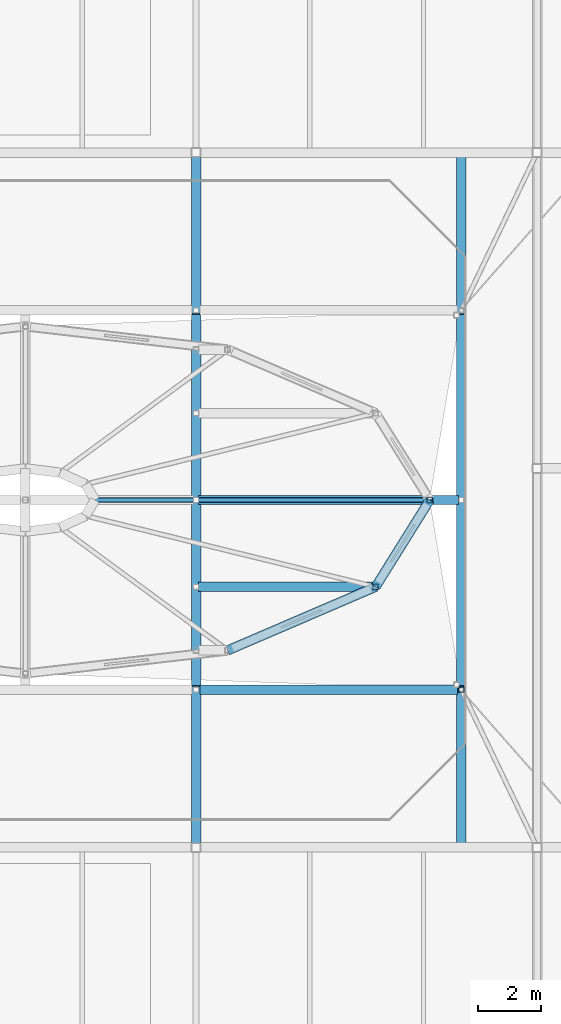
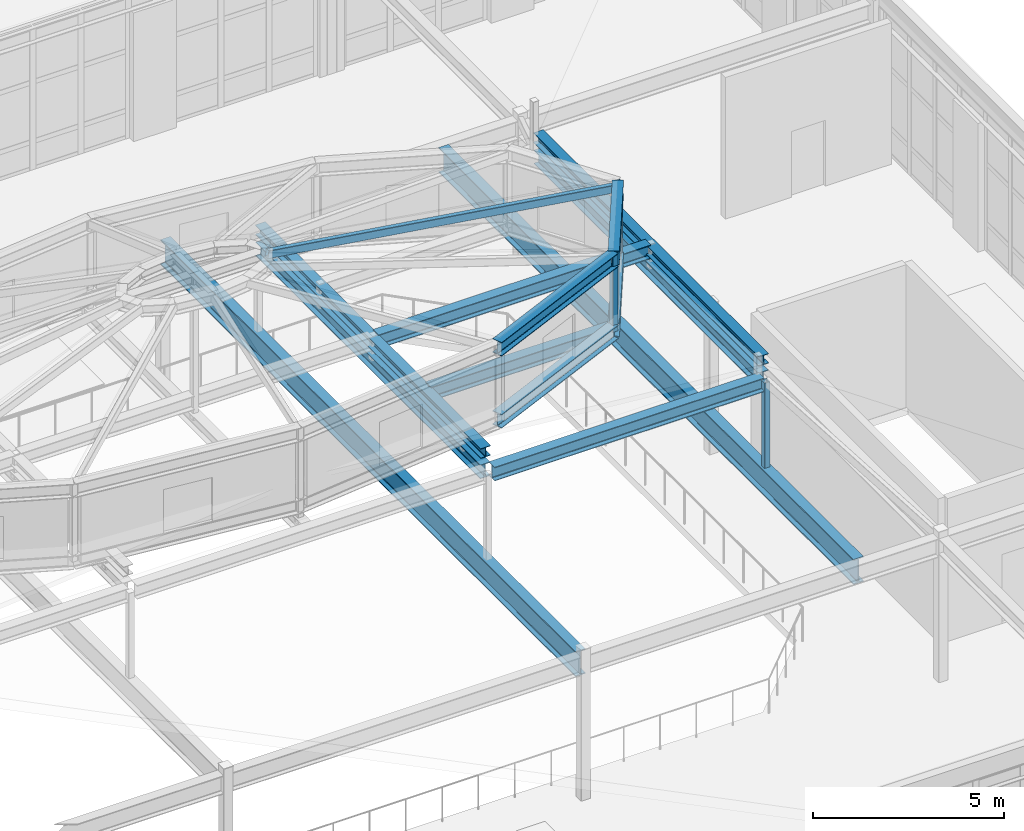
# One storey, part 30 of 86: 11 beams, 6 members.
"""IFC4 building model written with IfcOpenShell, lengths in metres."""

from ifc_helpers import new_model, si_unit, direction, frame, origin, origin_2d, place, context, subcontext, project, spatial, hollow_rectangle, i_section, extrude, material, material_profile, profile_set, type_object, element, save


model = new_model("IFC4")

# Units and contexts
model_context = context("Model", 3, precision=1e-05, world=origin(), true_north=direction((0.0, 1.0)))
body_context = subcontext(model_context, "Body", "Model", "MODEL_VIEW")
ifc_project = project(units=[si_unit("LENGTHUNIT", "METRE"), si_unit("AREAUNIT", "SQUARE_METRE"), si_unit("VOLUMEUNIT", "CUBIC_METRE"), si_unit("PLANEANGLEUNIT", "RADIAN"), si_unit("MASSUNIT", "GRAM", prefix="KILO")], contexts=[model_context])

# Site, building, storey
site_placement = place(None, origin())
site = spatial("IfcSite", under=ifc_project, at=site_placement, CompositionType="ELEMENT")
building_placement = place(site_placement, origin())
building = spatial("IfcBuilding", under=site, at=building_placement, Name="Tasgan Crest Museum", CompositionType="ELEMENT")
storey_placement = place(building_placement, frame((0.0, 0.0, 24.0)))
storey = spatial("IfcBuildingStorey", under=building, at=storey_placement, Name="L04", CompositionType="ELEMENT", Elevation=24.0)

# Beams
ifc_material_1 = material(Name="Steel S355K2", Category="steel")
ifc_material_profile_1 = material_profile(ifc_material_1, i_section(OverallWidth=0.300048828125, OverallDepth=0.43994140625, WebThickness=0.011474609375, FlangeThickness=0.02099609375, FilletRadius=0.027099609375, at=origin_2d()), Name="HEA 450")
ifc_profile_set_1 = profile_set([ifc_material_profile_1], Name="Steel S355K2")
beam_type_1 = type_object("IfcBeamType", Name="BM-DRUM-RING", PredefinedType="BEAM", material=ifc_profile_set_1)
beam_1_placement = place(storey_placement, frame((86.52490234375, 55.0, 7.320068359375), z_axis=(1.0, 0.0, 0.0), x_axis=(0.0, 1.0, 0.0)))
element("IfcBeam", 1, at=beam_1_placement, inside=storey, type_object=beam_type_1, Name="Winter-garden crown ring beam S3", PredefinedType="BEAM", context=body_context, shape_type="SweptSolid", body=[
    extrude(i_section(OverallWidth=0.300048828125, OverallDepth=0.43994140625, WebThickness=0.011474609375, FlangeThickness=0.02099609375, FilletRadius=0.027099609375, at=origin_2d()), origin(), (0.0, 0.0, 1.0), 8.150146484375),
])
for number, where, z_axis, x_axis, name in (
    (2, (94.800048828125, 55.125, 7.320068359375), (0.0, 1.0, 0.0), (-1.0, 0.0, 0.0), "Winter-garden crown ring beam E"),
    (3, (86.39990234375, 55.125, 7.320068359375), (0.0, 1.0, 0.0), (-1.0, 0.0, 0.0), "Winter-garden crown cross girder X=86.4"),
):
    element("IfcBeam", number, at=place(storey_placement, frame(where, z_axis=z_axis, x_axis=x_axis)), inside=storey, type_object=beam_type_1, Name=name, PredefinedType="BEAM", context=body_context, shape_type="SweptSolid", body=[
        extrude(i_section(OverallWidth=0.300048828125, OverallDepth=0.43994140625, WebThickness=0.011474609375, FlangeThickness=0.02099609375, FilletRadius=0.027099609375, at=origin_2d()), origin(), (0.0, 0.0, 1.0), 11.75),
    ])
beam_2_placement = place(storey_placement, frame((86.485107421875, 61.0, 7.919921875), z_axis=(1.0, 0.0, 0.0), x_axis=(0.0, 1.0, 0.0)))
element("IfcBeam", 4, at=beam_2_placement, inside=storey, type_object=beam_type_1, Name="Rotunda longitudinal spine girder 4", PredefinedType="BEAM", context=body_context, shape_type="SweptSolid", body=[
    extrude(i_section(OverallWidth=0.300048828125, OverallDepth=0.43994140625, WebThickness=0.011474609375, FlangeThickness=0.02099609375, FilletRadius=0.027099609375, at=origin_2d()), origin(), (0.0, 0.0, 1.0), 8.22998046875),
])
for number, where, z_axis, x_axis, name in (
    (5, (87.39990234375, 56.23681640625, 7.919921875), (0.918775656521, 0.394780056468, 0.0), (-0.394780056468, 0.918775656521, 0.0), "Rotunda base ring 11"),
    (6, (87.39990234375, 56.23681640625, 10.219970703125), (0.918775656521, 0.394780056468, 0.0), (-0.394780056468, 0.918775656521, 0.0), "Rotunda eave ring 11"),
):
    element("IfcBeam", number, at=place(storey_placement, frame(where, z_axis=z_axis, x_axis=x_axis)), inside=storey, type_object=beam_type_1, Name=name, PredefinedType="BEAM", context=body_context, shape_type="SweptSolid", body=[
        extrude(i_section(OverallWidth=0.300048828125, OverallDepth=0.43994140625, WebThickness=0.011474609375, FlangeThickness=0.02099609375, FilletRadius=0.027099609375, at=origin_2d()), origin(), (0.0, 0.0, 1.0), 5.099609375),
    ])
beam_3_placement = place(storey_placement, frame((86.485107421875, 58.25, 7.919921875), z_axis=(1.0, 0.0, 0.0), x_axis=(0.0, 1.0, 0.0)))
element("IfcBeam", 7, at=beam_3_placement, inside=storey, type_object=beam_type_1, Name="Rotunda radial vertex bearer 12", PredefinedType="BEAM", context=body_context, shape_type="SweptSolid", body=[
    extrude(i_section(OverallWidth=0.300048828125, OverallDepth=0.43994140625, WebThickness=0.011474609375, FlangeThickness=0.02099609375, FilletRadius=0.027099609375, at=origin_2d()), origin(), (0.0, 0.0, 1.0), 5.60009765625),
])
for number, where, z_axis, x_axis, name in (
    (8, (92.085205078125, 58.25, 7.919921875), (0.529131922022, 0.848539574267, 0.0), (-0.848539574267, 0.529131922022, 0.0), "Rotunda base ring 12"),
    (9, (92.085205078125, 58.25, 10.219970703125), (0.529131922022, 0.848539574267, 0.0), (-0.848539574267, 0.529131922022, 0.0), "Rotunda eave ring 12"),
):
    element("IfcBeam", number, at=place(storey_placement, frame(where, z_axis=z_axis, x_axis=x_axis)), inside=storey, type_object=beam_type_1, Name=name, PredefinedType="BEAM", context=body_context, shape_type="SweptSolid", body=[
        extrude(i_section(OverallWidth=0.300048828125, OverallDepth=0.43994140625, WebThickness=0.011474609375, FlangeThickness=0.02099609375, FilletRadius=0.027099609375, at=origin_2d()), origin(), (0.0, 0.0, 1.0), 3.240966796875),
    ])
ifc_material_2 = material(Name="Steel S355K2", Category="steel")
ifc_material_profile_2 = material_profile(ifc_material_2, i_section(OverallWidth=0.300048828125, OverallDepth=0.800048828125, WebThickness=0.017578125, FlangeThickness=0.032958984375, FilletRadius=0.030029296875, at=origin_2d()), Name="HEB 800")
ifc_profile_set_2 = profile_set([ifc_material_profile_2], Name="Steel S355K2")
beam_type_2 = type_object("IfcBeamType", Name="BM-TG-HEB800", PredefinedType="BEAM", material=ifc_profile_set_2)
for number, where, z_axis, x_axis, name in (
    (10, (86.39990234375, 50.14599609375, 4.199951171875), (0.0, 1.0, 0.0), (-1.0, 0.0, 0.0), "Winter-garden lantern support girder X=86.4"),
    (11, (94.800048828125, 50.14599609375, 4.199951171875), (0.0, 1.0, 0.0), (-1.0, 0.0, 0.0), "Winter-garden lantern support girder X=94.8"),
):
    element("IfcBeam", number, at=place(storey_placement, frame(where, z_axis=z_axis, x_axis=x_axis)), inside=storey, type_object=beam_type_2, Name=name, PredefinedType="BEAM", context=body_context, shape_type="SweptSolid", body=[
        extrude(i_section(OverallWidth=0.300048828125, OverallDepth=0.800048828125, WebThickness=0.017578125, FlangeThickness=0.032958984375, FilletRadius=0.030029296875, at=origin_2d()), origin(), (0.0, 0.0, 1.0), 21.7080078125),
    ])

# Members
ifc_material_3 = material(Name="Steel S355K2", Category="steel")
ifc_material_profile_3 = material_profile(ifc_material_3, hollow_rectangle(XDim=0.14990234375, YDim=0.25, WallThickness=0.010009765625, InnerFilletRadius=0.010009765625, OuterFilletRadius=0.02001953125, at=origin_2d()), Name="RHS 250x150x10")
ifc_profile_set_3 = profile_set([ifc_material_profile_3], Name="Steel S355K2")
member_type_1 = type_object("IfcMemberType", Name="MEM-DRUM-RIB", PredefinedType="RAFTER", material=ifc_profile_set_3)
member_1_placement = place(storey_placement, frame((93.800048828125, 61.0, 10.219970703125), z_axis=(-0.989071950169, 0.0, 0.147433637236), x_axis=(0.0, -1.0, 0.0)))
element("IfcMember", 12, at=member_1_placement, inside=storey, type_object=member_type_1, Name="Rotunda radial rafter 1", PredefinedType="RAFTER", context=body_context, shape_type="SweptSolid", body=[
    extrude(hollow_rectangle(XDim=0.14990234375, YDim=0.25, WallThickness=0.010009765625, InnerFilletRadius=0.010009765625, OuterFilletRadius=0.02001953125, at=origin_2d()), origin(), (0.0, 0.0, 1.0), 10.71728515625),
])
ifc_material_4 = material(Name="Steel S355K2", Category="steel")
ifc_material_profile_4 = material_profile(ifc_material_4, i_section(OverallWidth=0.300048828125, OverallDepth=0.31005859375, WebThickness=0.009033203125, FlangeThickness=0.015380859375, FilletRadius=0.027099609375, at=origin_2d()), Name="HEA 320")
ifc_profile_set_4 = profile_set([ifc_material_profile_4], Name="Steel S355K2")
member_type_2 = type_object("IfcMemberType", Name="TR-SAW-CHORD", PredefinedType="CHORD", material=ifc_profile_set_4)
for number, where, z_axis, x_axis, name in (
    (13, (94.800048828125, 55.10009765625, 7.919921875), (0.0, 1.0, 0.0), (-1.0, 0.0, 0.0), "Rotunda collar tie 1"),
    (14, (86.39990234375, 55.10009765625, 7.919921875), (0.0, 1.0, 0.0), (-1.0, 0.0, 0.0), "Rotunda collar tie 2"),
):
    element("IfcMember", number, at=place(storey_placement, frame(where, z_axis=z_axis, x_axis=x_axis)), inside=storey, type_object=member_type_2, Name=name, PredefinedType="CHORD", context=body_context, shape_type="SweptSolid", body=[
        extrude(i_section(OverallWidth=0.300048828125, OverallDepth=0.31005859375, WebThickness=0.009033203125, FlangeThickness=0.015380859375, FilletRadius=0.027099609375, at=origin_2d()), origin(), (0.0, 0.0, 1.0), 11.7998046875),
    ])
ifc_material_5 = material(Name="Steel S355K2", Category="steel")
ifc_material_profile_5 = material_profile(ifc_material_5, hollow_rectangle(XDim=0.179931640625, YDim=0.179931640625, WallThickness=0.010009765625, InnerFilletRadius=0.010009765625, OuterFilletRadius=0.02001953125, at=origin_2d()), Name="SHS 180x180x10")
ifc_profile_set_5 = profile_set([ifc_material_profile_5], Name="Steel S355K2")
member_type_3 = type_object("IfcMemberType", Name="TR-SAW-POST", PredefinedType="POST", material=ifc_profile_set_5)
member_2_placement = place(storey_placement, frame((94.800048828125, 55.0, 4.580078125), z_axis=(0.0, 0.0, 1.0), x_axis=(1.0, 0.0, 0.0)))
element("IfcMember", 15, at=member_2_placement, inside=storey, type_object=member_type_3, Name="Winter-garden lantern post X=94.8 S", PredefinedType="POST", context=body_context, shape_type="SweptSolid", body=[
    extrude(hollow_rectangle(XDim=0.179931640625, YDim=0.179931640625, WallThickness=0.010009765625, InnerFilletRadius=0.010009765625, OuterFilletRadius=0.02001953125, at=origin_2d()), origin(), (0.0, 0.0, 1.0), 2.739990234375),
])
for number, where, z_axis, x_axis, name in (
    (16, (93.800048828125, 61.0, 7.919921875), (0.0, 0.0, 1.0), (1.0, 0.0, 0.0), "Rotunda drum post 1"),
    (17, (92.085205078125, 58.25, 7.919921875), (0.0, 0.0, 1.0), (1.0, 0.0, 0.0), "Rotunda drum post 12"),
):
    element("IfcMember", number, at=place(storey_placement, frame(where, z_axis=z_axis, x_axis=x_axis)), inside=storey, type_object=member_type_3, Name=name, PredefinedType="POST", context=body_context, shape_type="SweptSolid", body=[
        extrude(hollow_rectangle(XDim=0.179931640625, YDim=0.179931640625, WallThickness=0.010009765625, InnerFilletRadius=0.010009765625, OuterFilletRadius=0.02001953125, at=origin_2d()), origin(), (0.0, 0.0, 1.0), 2.47998046875),
    ])

save(model, "model.ifc")
